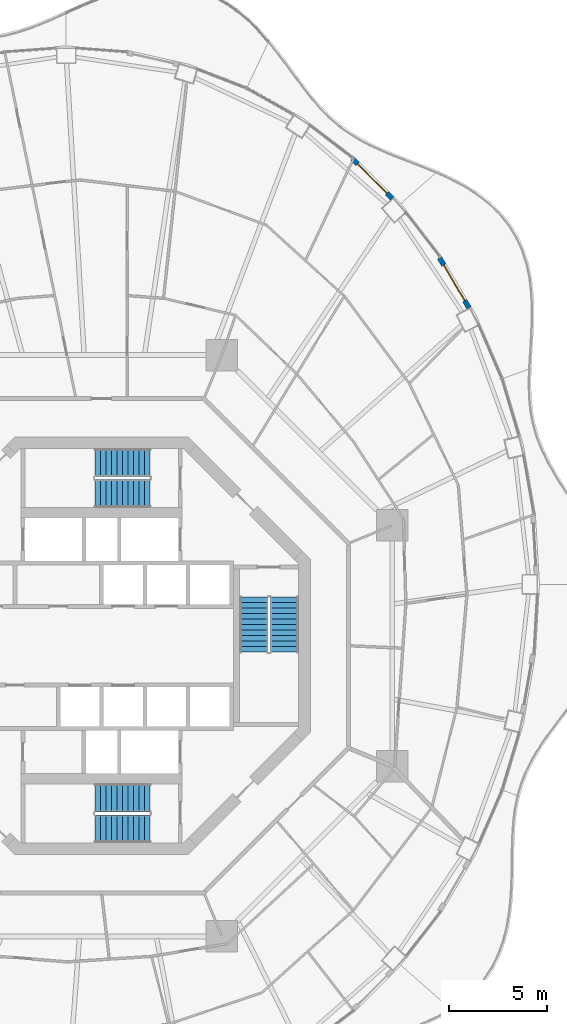
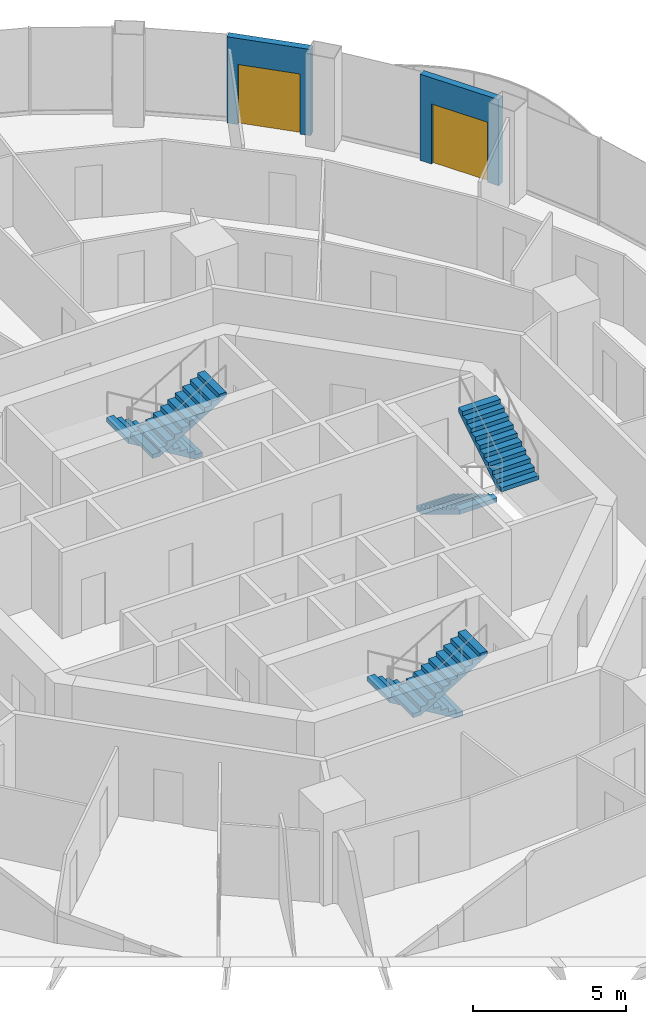
# One storey, part 15 of 18: 6 stair flights, 2 doors, 2 walls, 2 openings, 3 elements without a shape of their own.
"""IFC4 building model written with IfcOpenShell, lengths in metres."""

from ifc_helpers import new_model, si_unit, direction, frame, frame_2d, origin, place, context, subcontext, project, spatial, polyline, rectangle, outline, extrude, material, layer, layer_set, type_object, element, fill, aggregate, save


model = new_model("IFC4")

# Units and contexts
model_context = context("Model", 3, precision=1e-05, world=origin(), true_north=direction((0.0, 1.0)))
body_context = subcontext(model_context, "Body", "Model", "MODEL_VIEW")
ifc_project = project(units=[si_unit("LENGTHUNIT", "METRE"), si_unit("AREAUNIT", "SQUARE_METRE"), si_unit("VOLUMEUNIT", "CUBIC_METRE"), si_unit("PLANEANGLEUNIT", "RADIAN"), si_unit("MASSUNIT", "GRAM", prefix="KILO")], contexts=[model_context])

# Site, building, storey
site_placement = place(None, origin())
site = spatial("IfcSite", under=ifc_project, at=site_placement, CompositionType="ELEMENT")
building_placement = place(site_placement, origin())
building = spatial("IfcBuilding", under=site, at=building_placement, Name="Nagisa Residences", CompositionType="ELEMENT")
storey_placement = place(building_placement, frame((0.0, 0.0, 241.800048828125)))
storey = spatial("IfcBuildingStorey", under=building, at=storey_placement, Name="L61", CompositionType="ELEMENT", Elevation=241.800048828125)

# Wall, opening, door
ifc_material_1 = material(Name="Precast concrete C40/50", Category="concrete")
ifc_layer = layer(ifc_material_1, 0.25)
ifc_layer_set = layer_set([ifc_layer], Name="BALCONY DOOR WALL 250")
wall_type = type_object("IfcWallType", Name="BALCONY DOOR WALL 250", PredefinedType="SOLIDWALL", material=ifc_layer_set)
wall_1_placement = place(storey_placement, frame((17.188232421875, 19.728271484375, 0.0), z_axis=(0.0, 0.0, 1.0), x_axis=(0.506391620556, -0.862303616269, 0.0)))
wall_1 = element("IfcWall", 1, at=wall_1_placement, inside=storey, type_object=wall_type, Name="wall:L61:bay04", PredefinedType="SOLIDWALL", context=body_context, shape_type="SweptSolid", body=[
    extrude(rectangle(XDim=2.954345703125, YDim=0.25, at=frame_2d((1.47705078125, 0.0))), origin(), (0.0, 0.0, 1.0), 3.43994140625),
])
opening_1_placement = place(wall_1_placement, frame((0.42724609375, 0.0, 0.0)))
opening_1 = element("IfcOpeningElement", 2, at=opening_1_placement, cuts=wall_1, Name="Opening BD-L61-02", PredefinedType="OPENING", context=body_context, shape_type="SweptSolid", body=[
    extrude(rectangle(XDim=2.10009765625, YDim=2.39990234375, at=frame_2d((1.050048828125, 1.199951171875))), frame((0.0, 0.135009765625, 0.0), z_axis=(0.0, -1.0, 0.0), x_axis=(1.0, 0.0, 0.0)), (0.0, 0.0, 1.0), 0.27001953125),
])
ifc_material_2 = material(Name="Aluminium and clear glass", Category="aluminium")
door_type = type_object("IfcDoorType", Name="BALCONY SLIDING DOOR 2100x2400", OperationType="SLIDING_TO_LEFT", PredefinedType="DOOR", material=ifc_material_2)
door_1_placement = place(opening_1_placement, origin())
door_1 = element("IfcDoor", 3, at=door_1_placement, inside=storey, type_object=door_type, Name="door:L61:bay04", OperationType="SLIDING_TO_LEFT", OverallHeight=2.39990234375, OverallWidth=2.10009765625, PredefinedType="DOOR", context=body_context, shape_type="SweptSolid", body=[
    extrude(rectangle(XDim=2.10009765625, YDim=2.39990234375, at=frame_2d((1.050048828125, 1.199951171875))), frame((0.0, 0.02490234375, 0.0), z_axis=(0.0, -1.0, 0.0), x_axis=(1.0, 0.0, 0.0)), (0.0, 0.0, 1.0), 0.050048828125),
])
fill(opening_1, door_1)

wall_2_placement = place(storey_placement, frame((12.7646484375, 24.75927734375, 0.0), z_axis=(0.0, 0.0, 1.0), x_axis=(0.707793125551, -0.706419769983, 0.0)))
wall_2 = element("IfcWall", 4, at=wall_2_placement, inside=storey, type_object=wall_type, Name="wall:L61:bay06", PredefinedType="SOLIDWALL", context=body_context, shape_type="SweptSolid", body=[
    extrude(rectangle(XDim=2.84423828125, YDim=0.25, at=frame_2d((1.422119140625, 0.0))), origin(), (0.0, 0.0, 1.0), 3.43994140625),
])
opening_2_placement = place(wall_2_placement, frame((0.3720703125, 0.0, 0.0)))
opening_2 = element("IfcOpeningElement", 5, at=opening_2_placement, cuts=wall_2, Name="Opening BD-L61-03", PredefinedType="OPENING", context=body_context, shape_type="SweptSolid", body=[
    extrude(rectangle(XDim=2.10009765625, YDim=2.39990234375, at=frame_2d((1.050048828125, 1.199951171875))), frame((0.0, 0.135009765625, 0.0), z_axis=(0.0, -1.0, 0.0), x_axis=(1.0, 0.0, 0.0)), (0.0, 0.0, 1.0), 0.27001953125),
])
door_2_placement = place(opening_2_placement, origin())
door_2 = element("IfcDoor", 6, at=door_2_placement, inside=storey, type_object=door_type, Name="door:L61:bay06", OperationType="SLIDING_TO_LEFT", OverallHeight=2.39990234375, OverallWidth=2.10009765625, PredefinedType="DOOR", context=body_context, shape_type="SweptSolid", body=[
    extrude(rectangle(XDim=2.10009765625, YDim=2.39990234375, at=frame_2d((1.050048828125, 1.199951171875))), frame((0.0, 0.02490234375, 0.0), z_axis=(0.0, -1.0, 0.0), x_axis=(1.0, 0.0, 0.0)), (0.0, 0.0, 1.0), 0.050048828125),
])
fill(opening_2, door_2)

# Stair, stair flights
ifc_material_3 = material(Name="Concrete C60", Category="concrete")
stair_type = type_object("IfcStairType", Name="Exit stair", PredefinedType="HALF_TURN_STAIR", material=ifc_material_3)
stair_1_placement = place(storey_placement, origin())
stair_1 = element("IfcStair", 7, at=stair_1_placement, inside=storey, type_object=stair_type, Name="L61 Exit stair E", PredefinedType="HALF_TURN_STAIR")
ifc_material_4 = material(Name="Concrete C60", Category="concrete")
stair_flight_type = type_object("IfcStairFlightType", Name="Exit stair flight", PredefinedType="STRAIGHT", material=ifc_material_4)
stair_flight_1_placement = place(storey_placement, frame((7.737060546875, 2.47509765625, 0.0), z_axis=(0.0, 0.0, 1.0), x_axis=(0.0, -1.0, 0.0)))
stair_flight_1 = element("IfcStairFlight", 8, at=stair_flight_1_placement, type_object=stair_flight_type, Name="ST-E flight 1", NumberOfRisers=11, NumberOfTreads=10, PredefinedType="STRAIGHT", RiserHeight=0.168181818, TreadLength=0.28, context=body_context, shape_type="SweptSolid", body=[
    extrude(outline(polyline([(0.0, 0.0), (0.0, 0.168212890625), (0.280029296875, 0.168212890625), (0.280029296875, 0.33642578125), (0.56005859375, 0.33642578125), (0.56005859375, 0.504638671875), (0.840087890625, 0.504638671875), (0.840087890625, 0.672607421875), (1.1201171875, 0.672607421875), (1.1201171875, 0.8408203125), (1.39990234375, 0.8408203125), (1.39990234375, 1.009033203125), (1.679931640625, 1.009033203125), (1.679931640625, 1.17724609375), (1.9599609375, 1.17724609375), (1.9599609375, 1.345458984375), (2.239990234375, 1.345458984375), (2.239990234375, 1.513671875), (2.52001953125, 1.513671875), (2.52001953125, 1.681884765625), (2.800048828125, 1.681884765625), (2.800048828125, 1.85009765625), (2.800048828125, 1.5068359375), (0.291015625, 0.0), (0.0, 0.0)])), frame((0.0, 0.71240234375, 0.0), z_axis=(0.0, -1.0, 0.0), x_axis=(1.0, 0.0, 0.0)), (0.0, 0.0, 1.0), 1.425048828125),
])
stair_flight_2_placement = place(storey_placement, frame((9.31201171875, -0.324951171875, 1.849853515625), z_axis=(0.0, 0.0, 1.0), x_axis=(0.0, 1.0, 0.0)))
stair_flight_2 = element("IfcStairFlight", 9, at=stair_flight_2_placement, type_object=stair_flight_type, Name="ST-E flight 2", NumberOfRisers=11, NumberOfTreads=10, PredefinedType="STRAIGHT", RiserHeight=0.168181818, TreadLength=0.28, context=body_context, shape_type="SweptSolid", body=[
    extrude(outline(polyline([(0.0, 0.0), (0.0, 0.168212890625), (0.280029296875, 0.168212890625), (0.280029296875, 0.33642578125), (0.56005859375, 0.33642578125), (0.56005859375, 0.504638671875), (0.840087890625, 0.504638671875), (0.840087890625, 0.672607421875), (1.1201171875, 0.672607421875), (1.1201171875, 0.8408203125), (1.39990234375, 0.8408203125), (1.39990234375, 1.009033203125), (1.679931640625, 1.009033203125), (1.679931640625, 1.17724609375), (1.9599609375, 1.17724609375), (1.9599609375, 1.345458984375), (2.239990234375, 1.345458984375), (2.239990234375, 1.513671875), (2.52001953125, 1.513671875), (2.52001953125, 1.681884765625), (2.800048828125, 1.681884765625), (2.800048828125, 1.85009765625), (2.800048828125, 1.5068359375), (0.291015625, 0.0), (0.0, 0.0)])), frame((0.0, 0.71240234375, 0.0), z_axis=(0.0, -1.0, 0.0), x_axis=(1.0, 0.0, 0.0)), (0.0, 0.0, 1.0), 1.425048828125),
])
aggregate(stair_1, [stair_flight_1, stair_flight_2])

stair_2_placement = place(storey_placement, origin())
stair_2 = element("IfcStair", 10, at=stair_2_placement, inside=storey, type_object=stair_type, Name="L61 Exit stair N", PredefinedType="HALF_TURN_STAIR")
stair_flight_3_placement = place(storey_placement, frame((2.47509765625, 9.31201171875, 0.0), z_axis=(0.0, 0.0, 1.0), x_axis=(-1.0, 0.0, 0.0)))
stair_flight_3 = element("IfcStairFlight", 11, at=stair_flight_3_placement, type_object=stair_flight_type, Name="ST-N flight 1", NumberOfRisers=11, NumberOfTreads=10, PredefinedType="STRAIGHT", RiserHeight=0.168181818, TreadLength=0.28, context=body_context, shape_type="SweptSolid", body=[
    extrude(outline(polyline([(0.0, 0.0), (0.0, 0.168212890625), (0.280029296875, 0.168212890625), (0.280029296875, 0.33642578125), (0.56005859375, 0.33642578125), (0.56005859375, 0.504638671875), (0.840087890625, 0.504638671875), (0.840087890625, 0.672607421875), (1.1201171875, 0.672607421875), (1.1201171875, 0.8408203125), (1.39990234375, 0.8408203125), (1.39990234375, 1.009033203125), (1.679931640625, 1.009033203125), (1.679931640625, 1.17724609375), (1.9599609375, 1.17724609375), (1.9599609375, 1.345458984375), (2.239990234375, 1.345458984375), (2.239990234375, 1.513671875), (2.52001953125, 1.513671875), (2.52001953125, 1.681884765625), (2.800048828125, 1.681884765625), (2.800048828125, 1.85009765625), (2.800048828125, 1.5068359375), (0.291015625, 0.0), (0.0, 0.0)])), frame((0.0, 0.71240234375, 0.0), z_axis=(0.0, -1.0, 0.0), x_axis=(1.0, 0.0, 0.0)), (0.0, 0.0, 1.0), 1.425048828125),
])
stair_flight_4_placement = place(storey_placement, frame((-0.324951171875, 7.737060546875, 1.849853515625), z_axis=(0.0, 0.0, 1.0), x_axis=(1.0, 0.0, 0.0)))
stair_flight_4 = element("IfcStairFlight", 12, at=stair_flight_4_placement, type_object=stair_flight_type, Name="ST-N flight 2", NumberOfRisers=11, NumberOfTreads=10, PredefinedType="STRAIGHT", RiserHeight=0.168181818, TreadLength=0.28, context=body_context, shape_type="SweptSolid", body=[
    extrude(outline(polyline([(0.0, 0.0), (0.0, 0.168212890625), (0.280029296875, 0.168212890625), (0.280029296875, 0.33642578125), (0.56005859375, 0.33642578125), (0.56005859375, 0.504638671875), (0.840087890625, 0.504638671875), (0.840087890625, 0.672607421875), (1.1201171875, 0.672607421875), (1.1201171875, 0.8408203125), (1.39990234375, 0.8408203125), (1.39990234375, 1.009033203125), (1.679931640625, 1.009033203125), (1.679931640625, 1.17724609375), (1.9599609375, 1.17724609375), (1.9599609375, 1.345458984375), (2.239990234375, 1.345458984375), (2.239990234375, 1.513671875), (2.52001953125, 1.513671875), (2.52001953125, 1.681884765625), (2.800048828125, 1.681884765625), (2.800048828125, 1.85009765625), (2.800048828125, 1.5068359375), (0.291015625, 0.0), (0.0, 0.0)])), frame((0.0, 0.71240234375, 0.0), z_axis=(0.0, -1.0, 0.0), x_axis=(1.0, 0.0, 0.0)), (0.0, 0.0, 1.0), 1.425048828125),
])
aggregate(stair_2, [stair_flight_3, stair_flight_4])

stair_3_placement = place(storey_placement, origin())
stair_3 = element("IfcStair", 13, at=stair_3_placement, inside=storey, type_object=stair_type, Name="L61 Exit stair S", PredefinedType="HALF_TURN_STAIR")
stair_flight_5_placement = place(storey_placement, frame((2.47509765625, -7.737060546875, 0.0), z_axis=(0.0, 0.0, 1.0), x_axis=(-1.0, 0.0, 0.0)))
stair_flight_5 = element("IfcStairFlight", 14, at=stair_flight_5_placement, type_object=stair_flight_type, Name="ST-S flight 1", NumberOfRisers=11, NumberOfTreads=10, PredefinedType="STRAIGHT", RiserHeight=0.168181818, TreadLength=0.28, context=body_context, shape_type="SweptSolid", body=[
    extrude(outline(polyline([(0.0, 0.0), (0.0, 0.168212890625), (0.280029296875, 0.168212890625), (0.280029296875, 0.33642578125), (0.56005859375, 0.33642578125), (0.56005859375, 0.504638671875), (0.840087890625, 0.504638671875), (0.840087890625, 0.672607421875), (1.1201171875, 0.672607421875), (1.1201171875, 0.8408203125), (1.39990234375, 0.8408203125), (1.39990234375, 1.009033203125), (1.679931640625, 1.009033203125), (1.679931640625, 1.17724609375), (1.9599609375, 1.17724609375), (1.9599609375, 1.345458984375), (2.239990234375, 1.345458984375), (2.239990234375, 1.513671875), (2.52001953125, 1.513671875), (2.52001953125, 1.681884765625), (2.800048828125, 1.681884765625), (2.800048828125, 1.85009765625), (2.800048828125, 1.5068359375), (0.291015625, 0.0), (0.0, 0.0)])), frame((0.0, 0.71240234375, 0.0), z_axis=(0.0, -1.0, 0.0), x_axis=(1.0, 0.0, 0.0)), (0.0, 0.0, 1.0), 1.425048828125),
])
stair_flight_6_placement = place(storey_placement, frame((-0.324951171875, -9.31201171875, 1.849853515625), z_axis=(0.0, 0.0, 1.0), x_axis=(1.0, 0.0, 0.0)))
stair_flight_6 = element("IfcStairFlight", 15, at=stair_flight_6_placement, type_object=stair_flight_type, Name="ST-S flight 2", NumberOfRisers=11, NumberOfTreads=10, PredefinedType="STRAIGHT", RiserHeight=0.168181818, TreadLength=0.28, context=body_context, shape_type="SweptSolid", body=[
    extrude(outline(polyline([(0.0, 0.0), (0.0, 0.168212890625), (0.280029296875, 0.168212890625), (0.280029296875, 0.33642578125), (0.56005859375, 0.33642578125), (0.56005859375, 0.504638671875), (0.840087890625, 0.504638671875), (0.840087890625, 0.672607421875), (1.1201171875, 0.672607421875), (1.1201171875, 0.8408203125), (1.39990234375, 0.8408203125), (1.39990234375, 1.009033203125), (1.679931640625, 1.009033203125), (1.679931640625, 1.17724609375), (1.9599609375, 1.17724609375), (1.9599609375, 1.345458984375), (2.239990234375, 1.345458984375), (2.239990234375, 1.513671875), (2.52001953125, 1.513671875), (2.52001953125, 1.681884765625), (2.800048828125, 1.681884765625), (2.800048828125, 1.85009765625), (2.800048828125, 1.5068359375), (0.291015625, 0.0), (0.0, 0.0)])), frame((0.0, 0.71240234375, 0.0), z_axis=(0.0, -1.0, 0.0), x_axis=(1.0, 0.0, 0.0)), (0.0, 0.0, 1.0), 1.425048828125),
])
aggregate(stair_3, [stair_flight_5, stair_flight_6])

save(model, "model.ifc")
